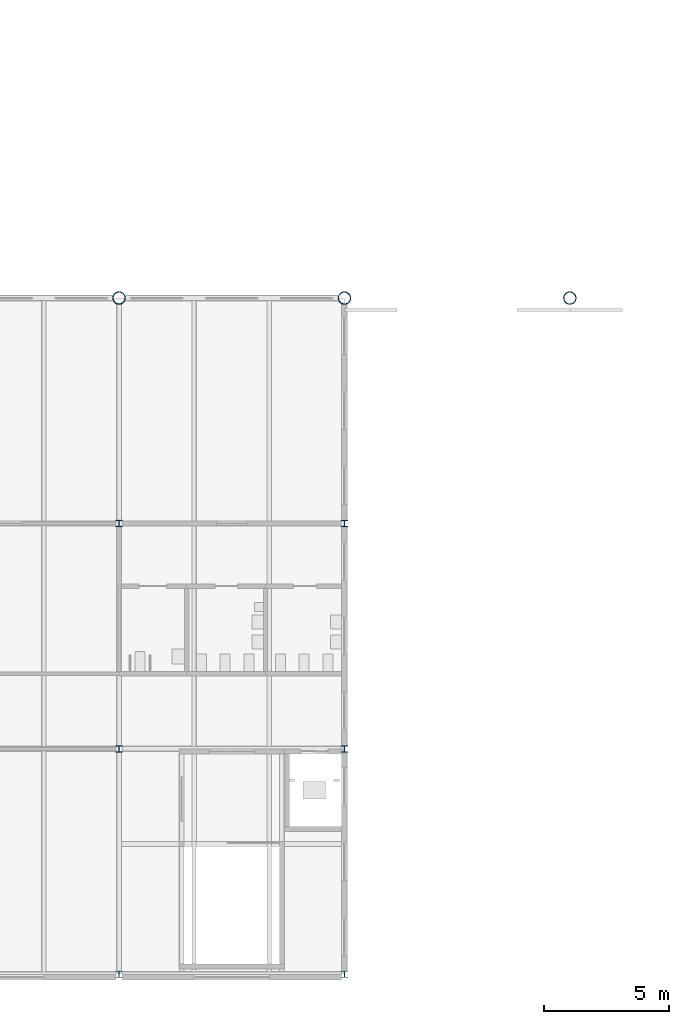
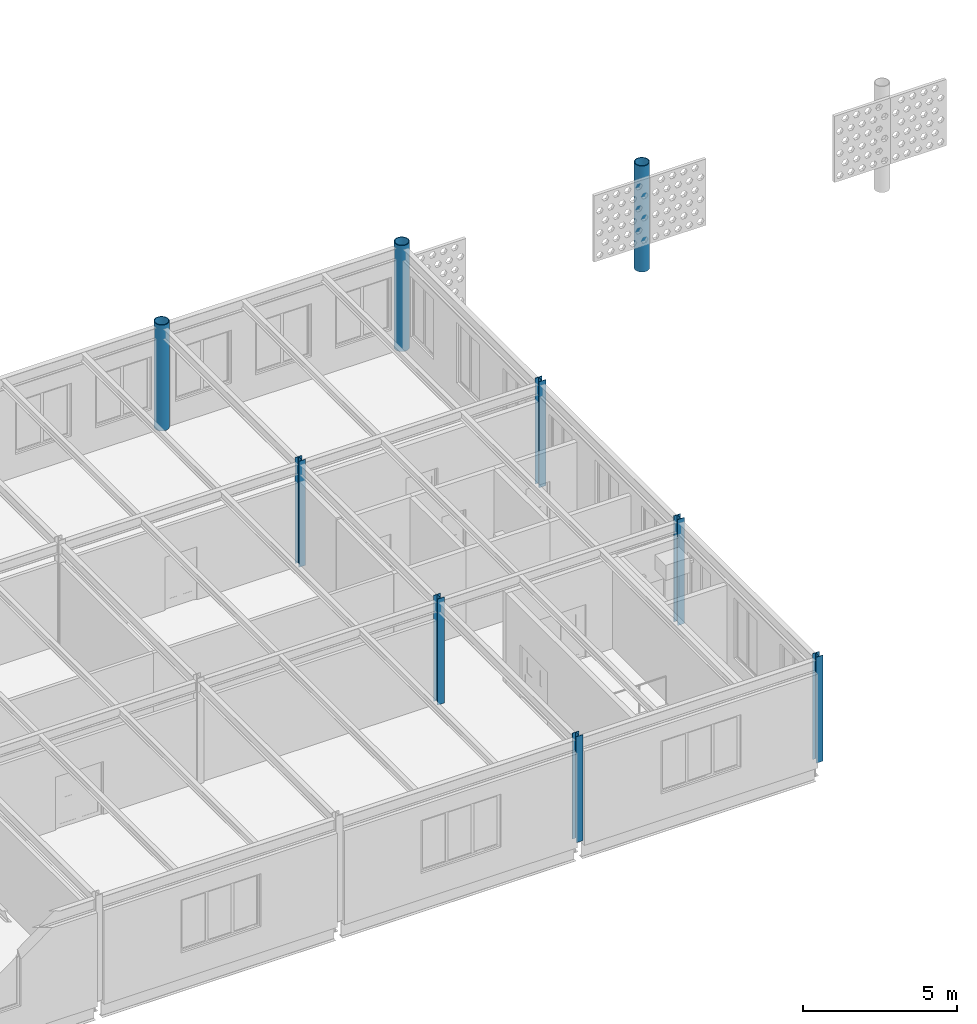
# One storey, part 12 of 123: 9 columns.
"""IFC4 building model written with IfcOpenShell, lengths in metres."""

from ifc_helpers import new_model, si_unit, direction, frame, origin, origin_2d, place, context, subcontext, project, spatial, hollow_circle, i_section, extrude, material, material_profile, profile_set, type_object, element, save


model = new_model("IFC4")

# Units and contexts
model_context = context("Model", 3, precision=1e-05, world=origin(), true_north=direction((0.0, 1.0)))
body_context = subcontext(model_context, "Body", "Model", "MODEL_VIEW")
ifc_project = project(units=[si_unit("LENGTHUNIT", "METRE"), si_unit("AREAUNIT", "SQUARE_METRE"), si_unit("VOLUMEUNIT", "CUBIC_METRE"), si_unit("PLANEANGLEUNIT", "RADIAN"), si_unit("MASSUNIT", "GRAM", prefix="KILO")], contexts=[model_context])

# Site, building, storey
site_placement = place(None, origin())
site = spatial("IfcSite", under=ifc_project, at=site_placement, CompositionType="ELEMENT")
building_placement = place(site_placement, origin())
building = spatial("IfcBuilding", under=site, at=building_placement, Name="Baradari Gate Terminus", CompositionType="ELEMENT")
storey_placement = place(building_placement, frame((0.0, 0.0, 7.5)))
storey = spatial("IfcBuildingStorey", under=building, at=storey_placement, Name="L01", CompositionType="ELEMENT", Elevation=7.5)

# Columns
ifc_material_1 = material(Name="Steel S355", Category="steel")
ifc_material_profile_1 = material_profile(ifc_material_1, hollow_circle(Radius=0.25390625, WallThickness=0.02490234375, at=origin_2d()), Name="CHS 508x25")
ifc_profile_set_1 = profile_set([ifc_material_profile_1], Name="Steel S355")
column_type_1 = type_object("IfcColumnType", Name="Shed column C11 CHS 508x25", PredefinedType="COLUMN", material=ifc_profile_set_1)
for number, where, z_axis, x_axis, name in (
    (1, (144.0, 36.0, 0.0), (0.0, 0.0, 1.0), (1.0, 0.0, 0.0), "C11 column 17-E L01"),
    (2, (153.0, 36.0, 0.0), (0.0, 0.0, 1.0), (1.0, 0.0, 0.0), "C11 column 18-E L01"),
    (3, (162.0, 36.0, 0.0), (0.0, 0.0, 1.0), (1.0, 0.0, 0.0), "C11 column 19-E L01"),
):
    element("IfcColumn", number, at=place(storey_placement, frame(where, z_axis=z_axis, x_axis=x_axis)), inside=storey, type_object=column_type_1, Name=name, PredefinedType="COLUMN", context=body_context, shape_type="SweptSolid", body=[
        extrude(hollow_circle(Radius=0.25390625, WallThickness=0.02490234375, at=origin_2d()), origin(), (0.0, 0.0, 1.0), 4.199951171875),
    ])
ifc_material_2 = material(Name="Steel S355", Category="steel")
ifc_material_profile_2 = material_profile(ifc_material_2, i_section(OverallWidth=0.25634765625, OverallDepth=0.26025390625, WebThickness=0.01025390625, FlangeThickness=0.017333984375, FilletRadius=0.0126953125, at=origin_2d()), Name="UC 254x254x89")
ifc_profile_set_2 = profile_set([ifc_material_profile_2], Name="Steel S355")
column_type_2 = type_object("IfcColumnType", Name="South wing column C04 UC 254x254x89", PredefinedType="COLUMN", material=ifc_profile_set_2)
for number, where, z_axis, x_axis, name in (
    (4, (144.0, 18.0, 0.0), (0.0, 0.0, 1.0), (1.0, 0.0, 0.0), "C04 column 17-C L01"),
    (5, (144.0, 27.0, 0.0), (0.0, 0.0, 1.0), (1.0, 0.0, 0.0), "C04 column 17-D L01"),
    (6, (153.0, 18.0, 0.0), (0.0, 0.0, 1.0), (1.0, 0.0, 0.0), "C04 column 18-C L01"),
    (7, (153.0, 27.0, 0.0), (0.0, 0.0, 1.0), (1.0, 0.0, 0.0), "C04 column 18-D L01"),
):
    element("IfcColumn", number, at=place(storey_placement, frame(where, z_axis=z_axis, x_axis=x_axis)), inside=storey, type_object=column_type_2, Name=name, PredefinedType="COLUMN", context=body_context, shape_type="SweptSolid", body=[
        extrude(i_section(OverallWidth=0.25634765625, OverallDepth=0.26025390625, WebThickness=0.01025390625, FlangeThickness=0.017333984375, FilletRadius=0.0126953125, at=origin_2d()), origin(), (0.0, 0.0, 1.0), 4.199951171875),
    ])
ifc_material_3 = material(Name="Steel S355", Category="steel")
ifc_material_profile_3 = material_profile(ifc_material_3, i_section(OverallWidth=0.254638671875, OverallDepth=0.254150390625, WebThickness=0.008544921875, FlangeThickness=0.01416015625, FilletRadius=0.0126953125, at=origin_2d()), Name="UC 254x254x73")
ifc_profile_set_3 = profile_set([ifc_material_profile_3], Name="Steel S355")
column_type_3 = type_object("IfcColumnType", Name="South wing facade column C03 UC 254x254x73", PredefinedType="COLUMN", material=ifc_profile_set_3)
for number, where, z_axis, x_axis, name in (
    (8, (144.0, 9.0, 0.0), (0.0, 0.0, 1.0), (1.0, 0.0, 0.0), "C03 column 17-B L01"),
    (9, (153.0, 9.0, 0.0), (0.0, 0.0, 1.0), (1.0, 0.0, 0.0), "C03 column 18-B L01"),
):
    element("IfcColumn", number, at=place(storey_placement, frame(where, z_axis=z_axis, x_axis=x_axis)), inside=storey, type_object=column_type_3, Name=name, PredefinedType="COLUMN", context=body_context, shape_type="SweptSolid", body=[
        extrude(i_section(OverallWidth=0.254638671875, OverallDepth=0.254150390625, WebThickness=0.008544921875, FlangeThickness=0.01416015625, FilletRadius=0.0126953125, at=origin_2d()), origin(), (0.0, 0.0, 1.0), 4.199951171875),
    ])

save(model, "model.ifc")
